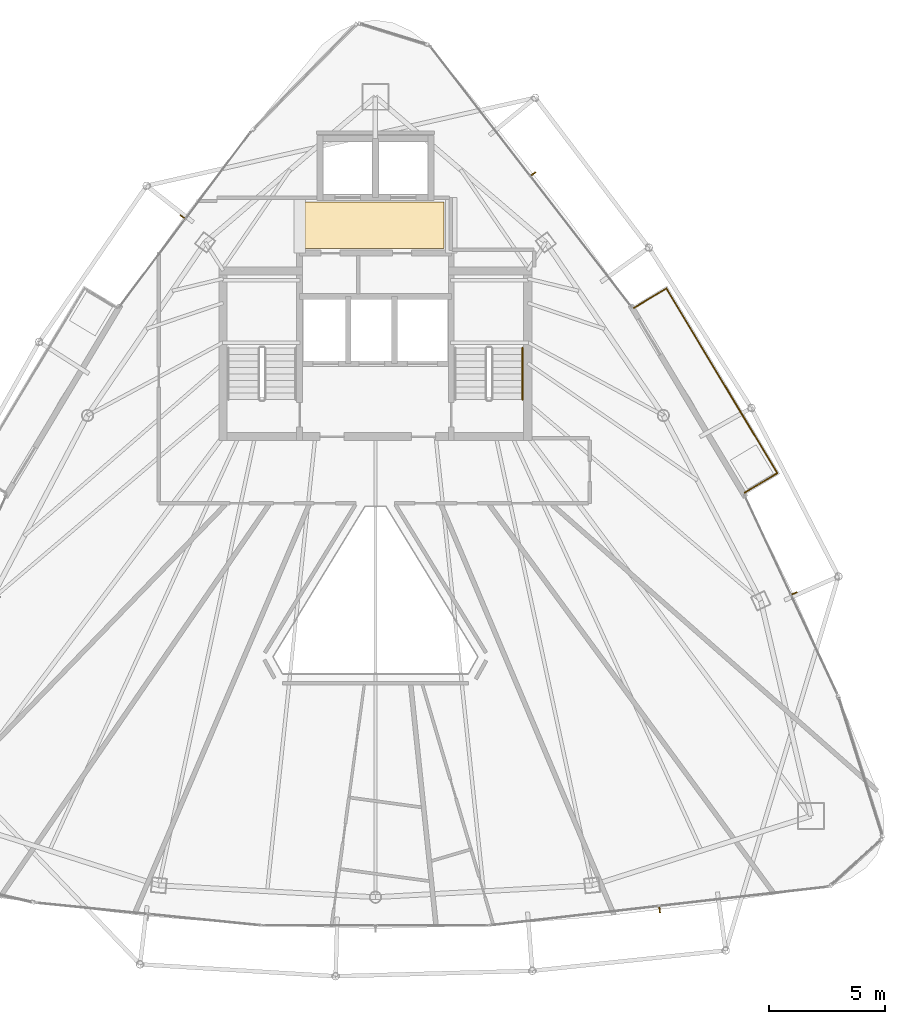
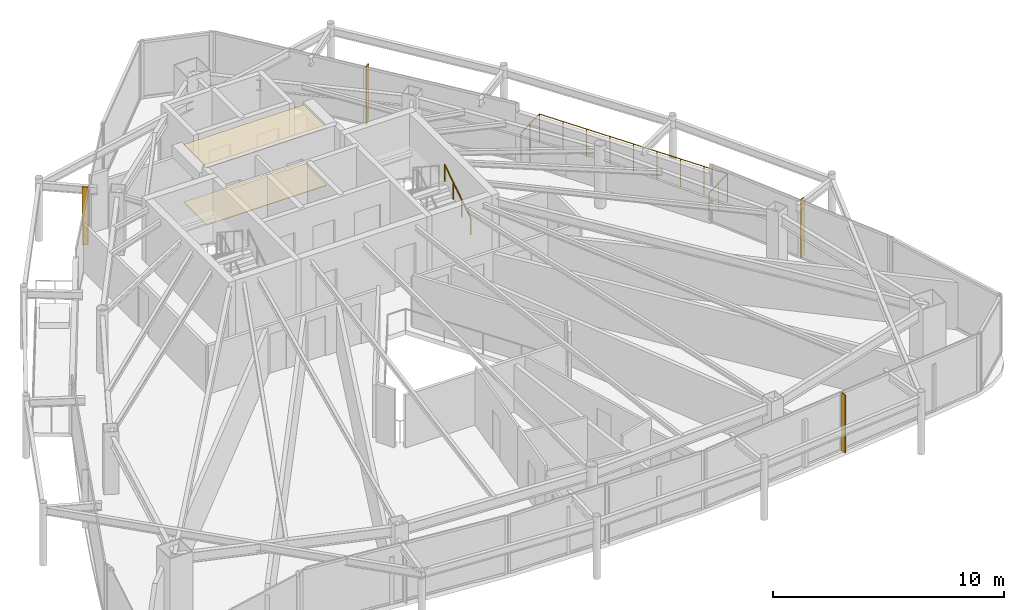
# One storey, part 28 of 28: 4 shading devices, 2 coverings, 2 railings.
"""IFC4 building model written with IfcOpenShell, lengths in metres."""

from ifc_helpers import new_model, si_unit, direction, frame, origin, origin_2d, place, context, subcontext, project, spatial, polyline, rectangle, circle, outline, extrude, material, layer, layer_set, type_object, element, save


model = new_model("IFC4")

# Units and contexts
model_context = context("Model", 3, precision=1e-05, world=origin(), true_north=direction((0.0, 1.0)))
body_context = subcontext(model_context, "Body", "Model", "MODEL_VIEW")
ifc_project = project(units=[si_unit("LENGTHUNIT", "METRE"), si_unit("AREAUNIT", "SQUARE_METRE"), si_unit("VOLUMEUNIT", "CUBIC_METRE"), si_unit("PLANEANGLEUNIT", "RADIAN"), si_unit("MASSUNIT", "GRAM", prefix="KILO")], contexts=[model_context])

# Site, building, storey
site_placement = place(None, origin())
site = spatial("IfcSite", under=ifc_project, at=site_placement, CompositionType="ELEMENT")
building_placement = place(site_placement, origin())
building = spatial("IfcBuilding", under=site, at=building_placement, Name="Orvanel Arch Residences", CompositionType="ELEMENT")
storey_placement = place(building_placement, frame((0.0, 0.0, 260.14990234375)))
storey = spatial("IfcBuildingStorey", under=building, at=storey_placement, Name="L74", CompositionType="ELEMENT", Elevation=260.14990234375)

# Coverings
ifc_material_1 = material(Name="Perforated acoustic mineral-fibre ceiling tile", Category="gypsum")
ifc_layer_1 = layer(ifc_material_1, 0.034912109375)
ifc_layer_set_1 = layer_set([ifc_layer_1], Name="Perforated acoustic mineral-fibre ceiling tile")
covering_type_1 = type_object("IfcCoveringType", Name="COV-CLG-ACS35", PredefinedType="CEILING", material=ifc_layer_set_1)
covering_1_placement = place(storey_placement, frame((0.0, 0.0, 3.025146484375)))
element("IfcCovering", 1, at=covering_1_placement, inside=storey, type_object=covering_type_1, Name="L74 Lift Lobby Acoustic Ceiling", PredefinedType="CEILING", context=body_context, shape_type="SweptSolid", body=[
    extrude(outline(polyline([(29.949951171875, 34.85009765625), (35.949951171875, 34.85009765625), (35.949951171875, 36.85009765625), (29.949951171875, 36.85009765625), (29.949951171875, 34.85009765625)])), origin(), (0.0, 0.0, 1.0), 0.034912109375),
])
ifc_material_2 = material(Name="Honed cementitious terrazzo floor finish", Category="concrete")
ifc_layer_2 = layer(ifc_material_2, 0.02490234375)
ifc_layer_set_2 = layer_set([ifc_layer_2], Name="Honed cementitious terrazzo floor finish")
covering_type_2 = type_object("IfcCoveringType", Name="COV-FLR-TRZ25", PredefinedType="FLOORING", material=ifc_layer_set_2)
covering_2_placement = place(storey_placement, origin())
element("IfcCovering", 2, at=covering_2_placement, inside=storey, type_object=covering_type_2, Name="L74 Lift Lobby Terrazzo Flooring", PredefinedType="FLOORING", context=body_context, shape_type="SweptSolid", body=[
    extrude(outline(polyline([(29.949951171875, 34.85009765625), (35.949951171875, 34.85009765625), (35.949951171875, 36.85009765625), (29.949951171875, 36.85009765625), (29.949951171875, 34.85009765625)])), origin(), (0.0, 0.0, 1.0), 0.025146484375),
])

# Shading devices
ifc_material_3 = material(Name="Bronze-anodised aluminium AA6063-T6", Category="aluminium")
ifc_layer_3 = layer(ifc_material_3, 0.050048828125)
ifc_layer_set_3 = layer_set([ifc_layer_3], Name="Bronze-anodised aluminium AA6063-T6")
shading_device_type = type_object("IfcShadingDeviceType", Name="FIN-BRZ-260", PredefinedType="USERDEFINED", material=ifc_layer_set_3)
for number, where, z_axis, x_axis, name in (
    (3, (24.669921875, 36.218994140625, 0.0), (0.0, 0.0, 1.0), (-0.799684658487, 0.600420225326, 0.0), "L74 Anodised Bronze Mullion FIN 01"),
    (4, (45.26904296875, 6.30810546875, 0.0), (0.0, 0.0, 1.0), (0.113203213768, -0.993571855677, 0.0), "L74 Anodised Bronze Mullion FIN 01"),
    (5, (51.08203125, 19.9599609375, 0.0), (0.0, 0.0, 1.0), (0.906307787037, 0.422618261741, 0.0), "L74 Anodised Bronze Mullion FIN 01"),
    (6, (39.81298828125, 38.070068359375, 0.0), (0.0, 0.0, 1.0), (0.791223532967, 0.611527040186, 0.0), "L74 Anodised Bronze Mullion FIN 01"),
):
    element("IfcShadingDevice", number, at=place(storey_placement, frame(where, z_axis=z_axis, x_axis=x_axis)), inside=storey, type_object=shading_device_type, Name=name, ObjectType="FIN", PredefinedType="USERDEFINED", context=body_context, shape_type="SweptSolid", body=[
        extrude(rectangle(XDim=0.260009765625, YDim=0.050048828125, at=origin_2d()), origin(), (0.0, 0.0, 1.0), 3.06005859375),
    ])

# Railings
railing_type_1 = type_object("IfcRailingType", Name="RL-BAL-1480", PredefinedType="BALUSTRADE", material=ifc_material_3)
railing_1_placement = place(storey_placement, frame((48.93994140625, 24.304931640625, 0.0)))
element("IfcRailing", 7, at=railing_1_placement, inside=storey, type_object=railing_type_1, Name="L74 Balcony Perimeter Guardrail Face 3", PredefinedType="BALUSTRADE", context=body_context, shape_type="SweptSolid", body=[
    extrude(circle(Radius=0.02392578125, at=origin_2d()), frame((0.001220703125, 0.000732421875, 1.4560546875), z_axis=(0.857545439568, 0.514408222208, 0.0), x_axis=(-0.514408222208, 0.857545439568, 0.0)), (0.0, 0.0, 1.0), 1.6376953125),
    extrude(circle(Radius=0.02392578125, at=origin_2d()), frame((1.40625, 0.84521484375, 1.4560546875), z_axis=(-0.514422430239, 0.857536916562, 0.0), x_axis=(-0.857536916562, -0.514422430239, 0.0)), (0.0, 0.0, 1.0), 9.300537109375),
    extrude(circle(Radius=0.02392578125, at=origin_2d()), frame((-3.380126953125, 8.8212890625, 1.4560546875), z_axis=(-0.857387817543, -0.514670895164, 0.0), x_axis=(0.514670895164, -0.857387817543, 0.0)), (0.0, 0.0, 1.0), 1.636962890625),
    extrude(circle(Radius=0.02099609375, at=origin_2d()), origin(), (0.0, 0.0, 1.0), 1.429931640625),
    extrude(circle(Radius=0.02099609375, at=origin_2d()), frame((0.70361328125, 0.421875, 0.0)), (0.0, 0.0, 1.0), 1.429931640625),
    extrude(circle(Radius=0.02099609375, at=origin_2d()), frame((1.406982421875, 0.843994140625, 0.0)), (0.0, 0.0, 1.0), 1.429931640625),
    extrude(circle(Radius=0.02099609375, at=origin_2d()), frame((0.808837890625, 1.84130859375, 0.0)), (0.0, 0.0, 1.0), 1.429931640625),
    extrude(circle(Radius=0.02099609375, at=origin_2d()), frame((0.21044921875, 2.83837890625, 0.0)), (0.0, 0.0, 1.0), 1.429931640625),
    extrude(circle(Radius=0.02099609375, at=origin_2d()), frame((-0.3876953125, 3.835693359375, 0.0)), (0.0, 0.0, 1.0), 1.429931640625),
    extrude(circle(Radius=0.02099609375, at=origin_2d()), frame((-0.98583984375, 4.8330078125, 0.0)), (0.0, 0.0, 1.0), 1.429931640625),
    extrude(circle(Radius=0.02099609375, at=origin_2d()), frame((-1.584228515625, 5.830322265625, 0.0)), (0.0, 0.0, 1.0), 1.429931640625),
    extrude(circle(Radius=0.02099609375, at=origin_2d()), frame((-2.182373046875, 6.82763671875, 0.0)), (0.0, 0.0, 1.0), 1.429931640625),
    extrude(circle(Radius=0.02099609375, at=origin_2d()), frame((-2.78076171875, 7.82470703125, 0.0)), (0.0, 0.0, 1.0), 1.429931640625),
    extrude(circle(Radius=0.02099609375, at=origin_2d()), frame((-3.37890625, 8.822021484375, 0.0)), (0.0, 0.0, 1.0), 1.429931640625),
    extrude(circle(Radius=0.02099609375, at=origin_2d()), frame((-4.08203125, 8.39990234375, 0.0)), (0.0, 0.0, 1.0), 1.429931640625),
    extrude(circle(Radius=0.02099609375, at=origin_2d()), frame((-4.784912109375, 7.97802734375, 0.0)), (0.0, 0.0, 1.0), 1.429931640625),
])
ifc_material_4 = material(Name="Structural steel AS/NZS 1163 C350L0 (Grade 350)", Category="steel")
railing_type_2 = type_object("IfcRailingType", Name="RL-STAIR-HAND", PredefinedType="HANDRAIL", material=ifc_material_4)
railing_2_placement = place(storey_placement, frame((39.35009765625, 28.320068359375, 0.183349609375)))
element("IfcRailing", 8, at=railing_2_placement, inside=storey, type_object=railing_type_2, Name="L74 ST-2 stair handrail 1", PredefinedType="HANDRAIL", context=body_context, shape_type="SweptSolid", body=[
    extrude(circle(Radius=0.02392578125, at=origin_2d()), frame((0.0, 0.001220703125, 0.876708984375), z_axis=(0.0, 0.836595146698, 0.547821650285), x_axis=(-1.0, 0.0, 0.0)), (0.0, 0.0, 1.0), 2.674560546875),
    extrude(circle(Radius=0.02099609375, at=origin_2d()), origin(), (0.0, 0.0, 1.0), 0.849853515625),
    extrude(circle(Radius=0.02099609375, at=origin_2d()), frame((0.0, 0.74658203125, 0.489013671875)), (0.0, 0.0, 1.0), 0.849853515625),
    extrude(circle(Radius=0.02099609375, at=origin_2d()), frame((0.0, 1.493408203125, 0.977783203125)), (0.0, 0.0, 1.0), 0.849853515625),
    extrude(circle(Radius=0.02099609375, at=origin_2d()), frame((0.0, 2.239990234375, 1.466796875)), (0.0, 0.0, 1.0), 0.849853515625),
])

save(model, "model.ifc")
